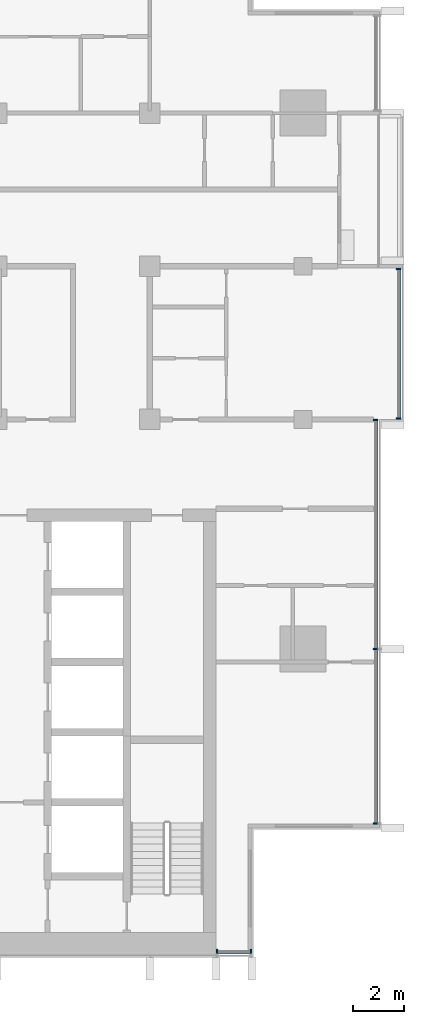
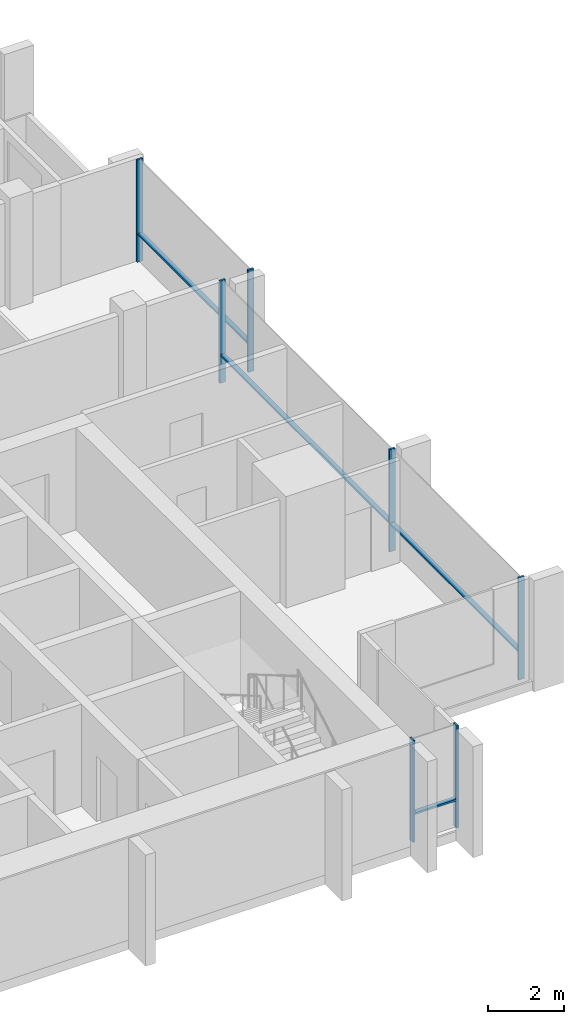
# One storey, part 3 of 16: 11 members, 3 elements without a shape of their own.
"""IFC4 building model written with IfcOpenShell, lengths in metres."""

from ifc_helpers import new_model, si_unit, direction, frame, origin, origin_2d, place, context, subcontext, project, spatial, rectangle, extrude, material, material_profile, profile_set, type_object, element, aggregate, save


model = new_model("IFC4")

# Units and contexts
model_context = context("Model", 3, precision=1e-05, world=origin(), true_north=direction((0.0, 1.0)))
body_context = subcontext(model_context, "Body", "Model", "MODEL_VIEW")
ifc_project = project(units=[si_unit("LENGTHUNIT", "METRE"), si_unit("AREAUNIT", "SQUARE_METRE"), si_unit("VOLUMEUNIT", "CUBIC_METRE"), si_unit("PLANEANGLEUNIT", "RADIAN"), si_unit("MASSUNIT", "GRAM", prefix="KILO")], contexts=[model_context])

# Site, building, storey
site_placement = place(None, origin())
site = spatial("IfcSite", under=ifc_project, at=site_placement, CompositionType="ELEMENT")
building_placement = place(site_placement, origin())
building = spatial("IfcBuilding", under=site, at=building_placement, Name="Finial Court Residences", CompositionType="ELEMENT")
storey_placement = place(building_placement, frame((0.0, 0.0, 259.10009765625)))
storey = spatial("IfcBuildingStorey", under=building, at=storey_placement, Name="L65", CompositionType="ELEMENT", Elevation=259.10009765625)

# Curtain wall, members
ifc_material = material(Name="Bronze anodised aluminium", Category="aluminium")
curtain_wall_type = type_object("IfcCurtainWallType", Name="Unitised curtain wall, upper zones", PredefinedType="NOTDEFINED", material=ifc_material)
curtain_wall_1_placement = place(storey_placement, origin())
curtain_wall_1 = element("IfcCurtainWall", 1, at=curtain_wall_1_placement, inside=storey, type_object=curtain_wall_type, Name="E-L65-CW-E4", PredefinedType="NOTDEFINED")
ifc_material_profile_1 = material_profile(ifc_material, rectangle(XDim=0.175048828125, YDim=0.06005859375, at=origin_2d()), Name="CW2 mullion 60 x 175")
ifc_profile_set_1 = profile_set([ifc_material_profile_1], Name="Bronze anodised aluminium")
member_type_1 = type_object("IfcMemberType", Name="CW2 mullion 60 x 175", PredefinedType="MULLION", material=ifc_profile_set_1)
member_1_placement = place(storey_placement, frame((19.35009765625, -20.320068359375, 0.0), z_axis=(0.0, 0.0, 1.0), x_axis=(-1.0, 0.0, 0.0)))
member_1 = element("IfcMember", 2, at=member_1_placement, type_object=member_type_1, Name="CW2 mullion 1", PredefinedType="MULLION", context=body_context, shape_type="SweptSolid", body=[
    extrude(rectangle(XDim=0.175048828125, YDim=0.06005859375, at=origin_2d()), origin(), (0.0, 0.0, 1.0), 3.2998046875),
])
member_2_placement = place(storey_placement, frame((19.35009765625, -13.5, 0.0), z_axis=(0.0, 0.0, 1.0), x_axis=(-1.0, 0.0, 0.0)))
member_2 = element("IfcMember", 3, at=member_2_placement, type_object=member_type_1, Name="CW2 mullion 2", PredefinedType="MULLION", context=body_context, shape_type="SweptSolid", body=[
    extrude(rectangle(XDim=0.175048828125, YDim=0.06005859375, at=origin_2d()), origin(), (0.0, 0.0, 1.0), 3.2998046875),
])
member_3_placement = place(storey_placement, frame((19.35009765625, -4.530029296875, 0.0), z_axis=(0.0, 0.0, 1.0), x_axis=(-1.0, 0.0, 0.0)))
member_3 = element("IfcMember", 4, at=member_3_placement, type_object=member_type_1, Name="CW2 mullion 3", PredefinedType="MULLION", context=body_context, shape_type="SweptSolid", body=[
    extrude(rectangle(XDim=0.175048828125, YDim=0.06005859375, at=origin_2d()), origin(), (0.0, 0.0, 1.0), 3.2998046875),
])

curtain_wall_2_placement = place(storey_placement, origin())
curtain_wall_2 = element("IfcCurtainWall", 5, at=curtain_wall_2_placement, inside=storey, type_object=curtain_wall_type, Name="E-L65-CW-E5", PredefinedType="NOTDEFINED")
member_4_placement = place(storey_placement, frame((20.25, -4.469970703125, 0.0), z_axis=(0.0, 0.0, 1.0), x_axis=(-1.0, 0.0, 0.0)))
member_4 = element("IfcMember", 6, at=member_4_placement, type_object=member_type_1, Name="CW2 mullion 1", PredefinedType="MULLION", context=body_context, shape_type="SweptSolid", body=[
    extrude(rectangle(XDim=0.175048828125, YDim=0.06005859375, at=origin_2d()), origin(), (0.0, 0.0, 1.0), 3.2998046875),
])
member_5_placement = place(storey_placement, frame((20.25, 1.39501953125, 0.0), z_axis=(0.0, 0.0, 1.0), x_axis=(-1.0, 0.0, 0.0)))
member_5 = element("IfcMember", 7, at=member_5_placement, type_object=member_type_1, Name="CW2 mullion 2", PredefinedType="MULLION", context=body_context, shape_type="SweptSolid", body=[
    extrude(rectangle(XDim=0.175048828125, YDim=0.06005859375, at=origin_2d()), origin(), (0.0, 0.0, 1.0), 3.2998046875),
])

curtain_wall_3_placement = place(storey_placement, origin())
curtain_wall_3 = element("IfcCurtainWall", 8, at=curtain_wall_3_placement, inside=storey, type_object=curtain_wall_type, Name="E-L65-CW-S8", PredefinedType="NOTDEFINED")
member_6_placement = place(storey_placement, frame((13.1298828125, -25.35009765625, 0.0), z_axis=(0.0, 0.0, 1.0), x_axis=(0.0, 1.0, 0.0)))
member_6 = element("IfcMember", 9, at=member_6_placement, type_object=member_type_1, Name="CW2 mullion 1", PredefinedType="MULLION", context=body_context, shape_type="SweptSolid", body=[
    extrude(rectangle(XDim=0.175048828125, YDim=0.06005859375, at=origin_2d()), origin(), (0.0, 0.0, 1.0), 3.2998046875),
])
member_7_placement = place(storey_placement, frame((14.469970703125, -25.35009765625, 0.0), z_axis=(0.0, 0.0, 1.0), x_axis=(0.0, 1.0, 0.0)))
member_7 = element("IfcMember", 10, at=member_7_placement, type_object=member_type_1, Name="CW2 mullion 2", PredefinedType="MULLION", context=body_context, shape_type="SweptSolid", body=[
    extrude(rectangle(XDim=0.175048828125, YDim=0.06005859375, at=origin_2d()), origin(), (0.0, 0.0, 1.0), 3.2998046875),
])

# Member
ifc_material_profile_2 = material_profile(ifc_material, rectangle(XDim=0.139892578125, YDim=0.06005859375, at=origin_2d()), Name="CW2 transom 60 x 140")
ifc_profile_set_2 = profile_set([ifc_material_profile_2], Name="Bronze anodised aluminium")
member_type_2 = type_object("IfcMemberType", Name="CW2 transom 60 x 140", PredefinedType="USERDEFINED", material=ifc_profile_set_2)
member_8_placement = place(storey_placement, frame((19.35009765625, -20.2900390625, 0.89990234375), z_axis=(0.0, 1.0, 0.0), x_axis=(-1.0, 0.0, 0.0)))
member_8 = element("IfcMember", 11, at=member_8_placement, type_object=member_type_2, Name="CW2 transom 1.1", ObjectType="TRANSOM", PredefinedType="USERDEFINED", context=body_context, shape_type="SweptSolid", body=[
    extrude(rectangle(XDim=0.139892578125, YDim=0.06005859375, at=origin_2d()), origin(), (0.0, 0.0, 1.0), 6.760009765625),
])

member_9_placement = place(storey_placement, frame((19.35009765625, -13.469970703125, 0.89990234375), z_axis=(0.0, 1.0, 0.0), x_axis=(-1.0, 0.0, 0.0)))
member_9 = element("IfcMember", 12, at=member_9_placement, type_object=member_type_2, Name="CW2 transom 2.1", ObjectType="TRANSOM", PredefinedType="USERDEFINED", context=body_context, shape_type="SweptSolid", body=[
    extrude(rectangle(XDim=0.139892578125, YDim=0.06005859375, at=origin_2d()), origin(), (0.0, 0.0, 1.0), 8.909912109375),
])

aggregate(curtain_wall_1, [member_1, member_2, member_3, member_8, member_9])

member_10_placement = place(storey_placement, frame((20.25, -4.43994140625, 0.89990234375), z_axis=(0.0, 1.0, 0.0), x_axis=(-1.0, 0.0, 0.0)))
member_10 = element("IfcMember", 13, at=member_10_placement, type_object=member_type_2, Name="CW2 transom 1.1", ObjectType="TRANSOM", PredefinedType="USERDEFINED", context=body_context, shape_type="SweptSolid", body=[
    extrude(rectangle(XDim=0.139892578125, YDim=0.06005859375, at=origin_2d()), origin(), (0.0, 0.0, 1.0), 5.804931640625),
])

aggregate(curtain_wall_2, [member_4, member_5, member_10])

member_11_placement = place(storey_placement, frame((13.159912109375, -25.35009765625, 0.89990234375), z_axis=(1.0, 0.0, 0.0), x_axis=(0.0, 1.0, 0.0)))
member_11 = element("IfcMember", 14, at=member_11_placement, type_object=member_type_2, Name="CW2 transom 1.1", ObjectType="TRANSOM", PredefinedType="USERDEFINED", context=body_context, shape_type="SweptSolid", body=[
    extrude(rectangle(XDim=0.139892578125, YDim=0.06005859375, at=origin_2d()), origin(), (0.0, 0.0, 1.0), 1.280029296875),
])

aggregate(curtain_wall_3, [member_6, member_7, member_11])

save(model, "model.ifc")
